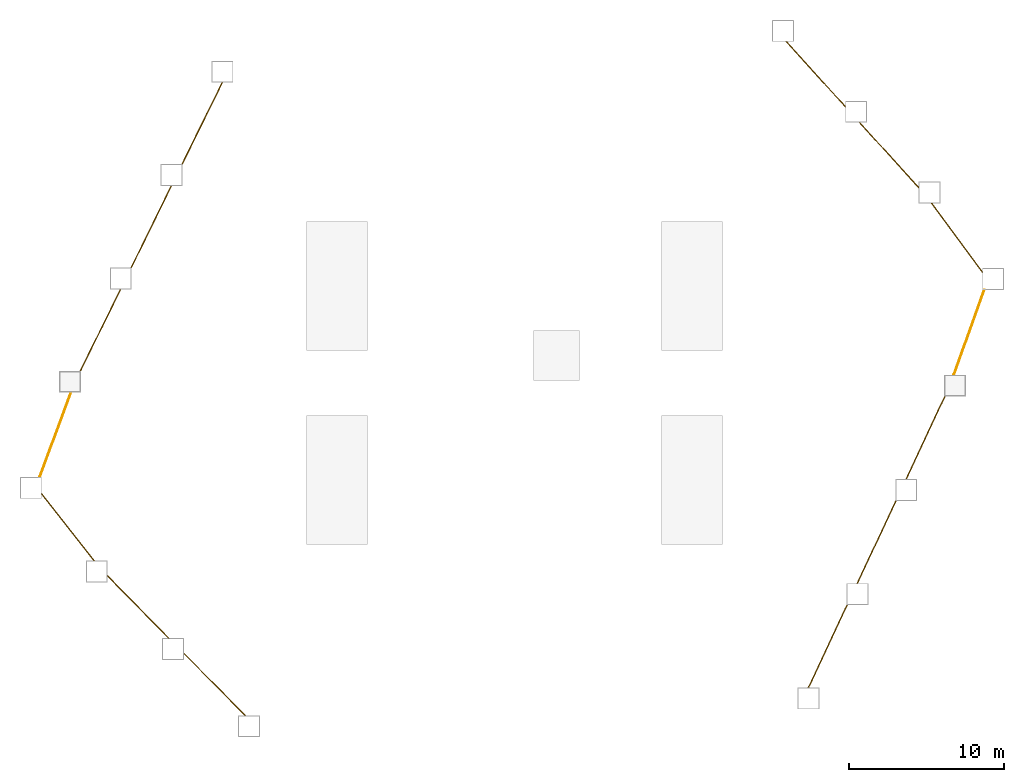
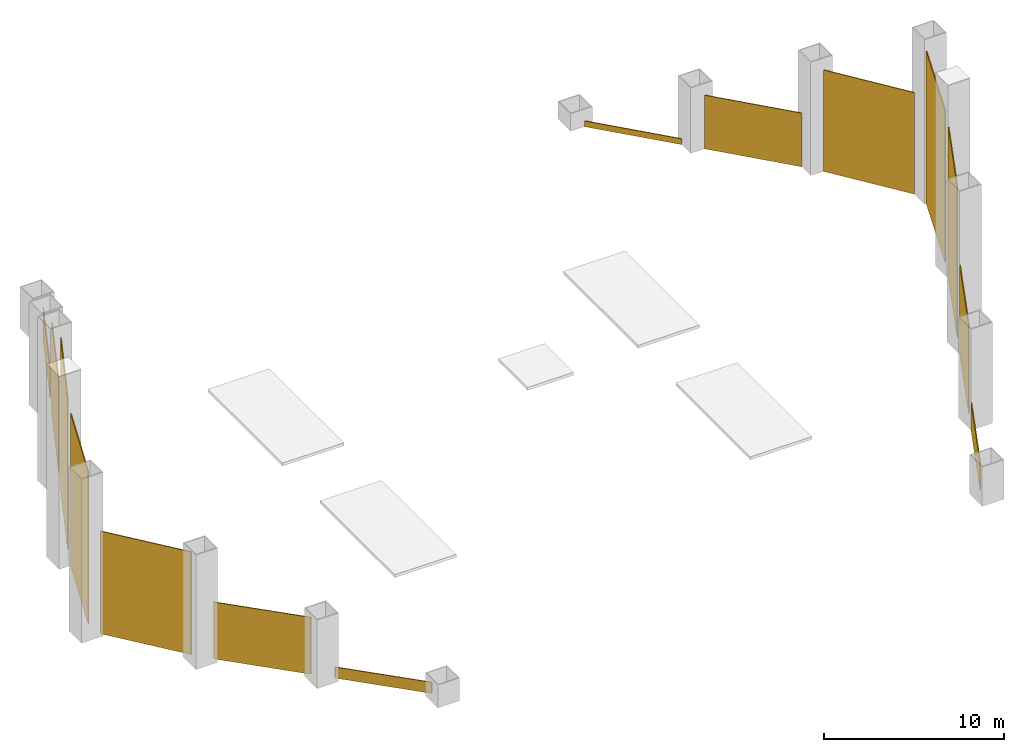
# One storey, part 2 of 2: 14 coverings.
"""IFC4 building model written with IfcOpenShell, lengths in metres."""

from ifc_helpers import new_model, si_unit, direction, frame, origin, place, context, subcontext, project, spatial, polyline, outline, extrude, material, layer, layer_set, type_object, element, save


model = new_model("IFC4")

# Units and contexts
model_context = context("Model", 3, precision=1e-05, world=origin(), true_north=direction((0.0, 1.0)))
body_context = subcontext(model_context, "Body", "Model", "MODEL_VIEW")
ifc_project = project(units=[si_unit("LENGTHUNIT", "METRE"), si_unit("AREAUNIT", "SQUARE_METRE"), si_unit("VOLUMEUNIT", "CUBIC_METRE"), si_unit("PLANEANGLEUNIT", "RADIAN"), si_unit("MASSUNIT", "GRAM", prefix="KILO")], contexts=[model_context])

# Site, building, storey
site_placement = place(None, origin())
site = spatial("IfcSite", under=ifc_project, at=site_placement, CompositionType="ELEMENT")
building_placement = place(site_placement, origin())
building = spatial("IfcBuilding", under=site, at=building_placement, Name="Dongbaek Canopy Tower", CompositionType="ELEMENT")
storey_placement = place(building_placement, frame((0.0, 0.0, 378.699951171875)))
storey = spatial("IfcBuildingStorey", under=building, at=storey_placement, Name="Upper roof", CompositionType="ELEMENT", Elevation=378.699951171875)

# Coverings
ifc_material = material(Name="Perforated pale metal")
ifc_layer = layer(ifc_material, 0.06005859375)
ifc_layer_set = layer_set([ifc_layer], Name="Crown plant screen")
covering_type = type_object("IfcCoveringType", Name="Crown plant screen", PredefinedType="CLADDING", material=ifc_layer_set)
covering_1_placement = place(storey_placement, origin())
element("IfcCovering", 1, at=covering_1_placement, inside=storey, type_object=covering_type, Name="Crown plant screen 1 Upper roof", PredefinedType="CLADDING", context=body_context, shape_type="SweptSolid", body=[
    extrude(outline(polyline([(-30.428955078125, -7.197998046875), (-30.428955078125, -7.10107421875), (-27.02001953125, -11.43408203125), (-27.09619140625, -11.43408203125), (-30.428955078125, -7.197998046875)])), origin(), (0.0, 0.0, 1.0), 6.969970703125),
])
covering_2_placement = place(storey_placement, origin())
element("IfcCovering", 2, at=covering_2_placement, inside=storey, type_object=covering_type, Name="Crown plant screen 2 Upper roof", PredefinedType="CLADDING", context=body_context, shape_type="SweptSolid", body=[
    extrude(outline(polyline([(-26.18896484375, -12.4599609375), (-26.18896484375, -12.37451171875), (-22.21240234375, -16.412109375), (-22.29638671875, -16.412109375), (-26.18896484375, -12.4599609375)])), origin(), (0.0, 0.0, 1.0), 3.859130859375),
])
covering_3_placement = place(storey_placement, origin())
element("IfcCovering", 3, at=covering_3_placement, inside=storey, type_object=covering_type, Name="Crown plant screen 3 Upper roof", PredefinedType="CLADDING", context=body_context, shape_type="SweptSolid", body=[
    extrude(outline(polyline([(-21.285888671875, -17.43798828125), (-21.285888671875, -17.352294921875), (-17.310302734375, -21.388916015625), (-17.39453125, -21.388916015625), (-21.285888671875, -17.43798828125)])), origin(), (0.0, 0.0, 1.0), 0.749267578125),
])
covering_4_placement = place(storey_placement, origin())
element("IfcCovering", 4, at=covering_4_placement, inside=storey, type_object=covering_type, Name="Crown plant screen 10 Upper roof", PredefinedType="CLADDING", context=body_context, shape_type="SweptSolid", body=[
    extrude(outline(polyline([(18.954833984375, -19.595947265625), (18.888671875, -19.595947265625), (21.37548828125, -14.2880859375), (21.44189453125, -14.2880859375), (18.954833984375, -19.595947265625)])), origin(), (0.0, 0.0, 1.0), 1.86962890625),
])
covering_5_placement = place(storey_placement, origin())
element("IfcCovering", 5, at=covering_5_placement, inside=storey, type_object=covering_type, Name="Crown plant screen 11 Upper roof", PredefinedType="CLADDING", context=body_context, shape_type="SweptSolid", body=[
    extrude(outline(polyline([(22.09765625, -12.887939453125), (22.031494140625, -12.887939453125), (24.517822265625, -7.5791015625), (24.583984375, -7.5791015625), (22.09765625, -12.887939453125)])), origin(), (0.0, 0.0, 1.0), 6.061279296875),
])
covering_6_placement = place(storey_placement, origin())
element("IfcCovering", 6, at=covering_6_placement, inside=storey, type_object=covering_type, Name="Crown plant screen 12 Upper roof", PredefinedType="CLADDING", context=body_context, shape_type="SweptSolid", body=[
    extrude(outline(polyline([(25.239501953125, -6.178955078125), (25.17333984375, -6.178955078125), (27.658935546875, -0.8701171875), (27.72509765625, -0.8701171875), (25.239501953125, -6.178955078125)])), origin(), (0.0, 0.0, 1.0), 10.253662109375),
])
covering_7_placement = place(storey_placement, origin())
element("IfcCovering", 7, at=covering_7_placement, inside=storey, type_object=covering_type, Name="Crown plant screen 13 Upper roof", PredefinedType="CLADDING", context=body_context, shape_type="SweptSolid", body=[
    extrude(outline(polyline([(28.314453125, 0.530029296875), (28.250732421875, 0.530029296875), (30.20458984375, 5.998046875), (30.268310546875, 5.998046875), (28.314453125, 0.530029296875)])), origin(), (0.0, 0.0, 1.0), 10.36669921875),
])
covering_8_placement = place(storey_placement, origin())
element("IfcCovering", 8, at=covering_8_placement, inside=storey, type_object=covering_type, Name="Crown plant screen 14 Upper roof", PredefinedType="CLADDING", context=body_context, shape_type="SweptSolid", body=[
    extrude(outline(polyline([(30.10498046875, 7.19189453125), (30.10498046875, 7.0908203125), (26.809326171875, 11.556884765625), (26.884033203125, 11.556884765625), (30.10498046875, 7.19189453125)])), origin(), (0.0, 0.0, 1.0), 6.89306640625),
])
covering_9_placement = place(storey_placement, origin())
element("IfcCovering", 9, at=covering_9_placement, inside=storey, type_object=covering_type, Name="Crown plant screen 15 Upper roof", PredefinedType="CLADDING", context=body_context, shape_type="SweptSolid", body=[
    extrude(outline(polyline([(26.0029296875, 12.627685546875), (26.0029296875, 12.538330078125), (22.1787109375, 16.761962890625), (22.259521484375, 16.761962890625), (26.0029296875, 12.627685546875)])), origin(), (0.0, 0.0, 1.0), 3.640625),
])
covering_10_placement = place(storey_placement, origin())
element("IfcCovering", 10, at=covering_10_placement, inside=storey, type_object=covering_type, Name="Crown plant screen 16 Upper roof", PredefinedType="CLADDING", context=body_context, shape_type="SweptSolid", body=[
    extrude(outline(polyline([(21.2900390625, 17.83251953125), (21.2900390625, 17.7431640625), (17.46484375, 21.966064453125), (17.5458984375, 21.966064453125), (21.2900390625, 17.83251953125)])), origin(), (0.0, 0.0, 1.0), 0.388671875),
])
covering_11_placement = place(storey_placement, origin())
element("IfcCovering", 11, at=covering_11_placement, inside=storey, type_object=covering_type, Name="Crown plant screen 23 Upper roof", PredefinedType="CLADDING", context=body_context, shape_type="SweptSolid", body=[
    extrude(outline(polyline([(-18.849365234375, 19.33203125), (-18.78271484375, 19.33203125), (-21.3759765625, 14.0595703125), (-21.3759765625, 14.083984375), (-21.430908203125, 14.083984375), (-18.849365234375, 19.33203125)])), origin(), (0.0, 0.0, 1.0), 2.03466796875),
])
covering_12_placement = place(storey_placement, origin())
element("IfcCovering", 12, at=covering_12_placement, inside=storey, type_object=covering_type, Name="Crown plant screen 24 Upper roof", PredefinedType="CLADDING", context=body_context, shape_type="SweptSolid", body=[
    extrude(outline(polyline([(-22.119384765625, 12.68408203125), (-22.052490234375, 12.68408203125), (-24.64697265625, 7.410400390625), (-24.64697265625, 7.43505859375), (-24.70166015625, 7.43505859375), (-22.119384765625, 12.68408203125)])), origin(), (0.0, 0.0, 1.0), 6.188720703125),
])
covering_13_placement = place(storey_placement, origin())
element("IfcCovering", 13, at=covering_13_placement, inside=storey, type_object=covering_type, Name="Crown plant screen 25 Upper roof", PredefinedType="CLADDING", context=body_context, shape_type="SweptSolid", body=[
    extrude(outline(polyline([(-25.390380859375, 6.034912109375), (-25.323486328125, 6.034912109375), (-27.9169921875, 0.76171875), (-27.9169921875, 0.785888671875), (-27.971923828125, 0.785888671875), (-25.390380859375, 6.034912109375)])), origin(), (0.0, 0.0, 1.0), 10.343505859375),
])
covering_14_placement = place(storey_placement, origin())
element("IfcCovering", 14, at=covering_14_placement, inside=storey, type_object=covering_type, Name="Crown plant screen 26 Upper roof", PredefinedType="CLADDING", context=body_context, shape_type="SweptSolid", body=[
    extrude(outline(polyline([(-28.586669921875, -0.614013671875), (-28.522705078125, -0.614013671875), (-30.52001953125, -6.044921875), (-30.583984375, -6.044921875), (-28.586669921875, -0.614013671875)])), origin(), (0.0, 0.0, 1.0), 10.33740234375),
])

save(model, "model.ifc")
